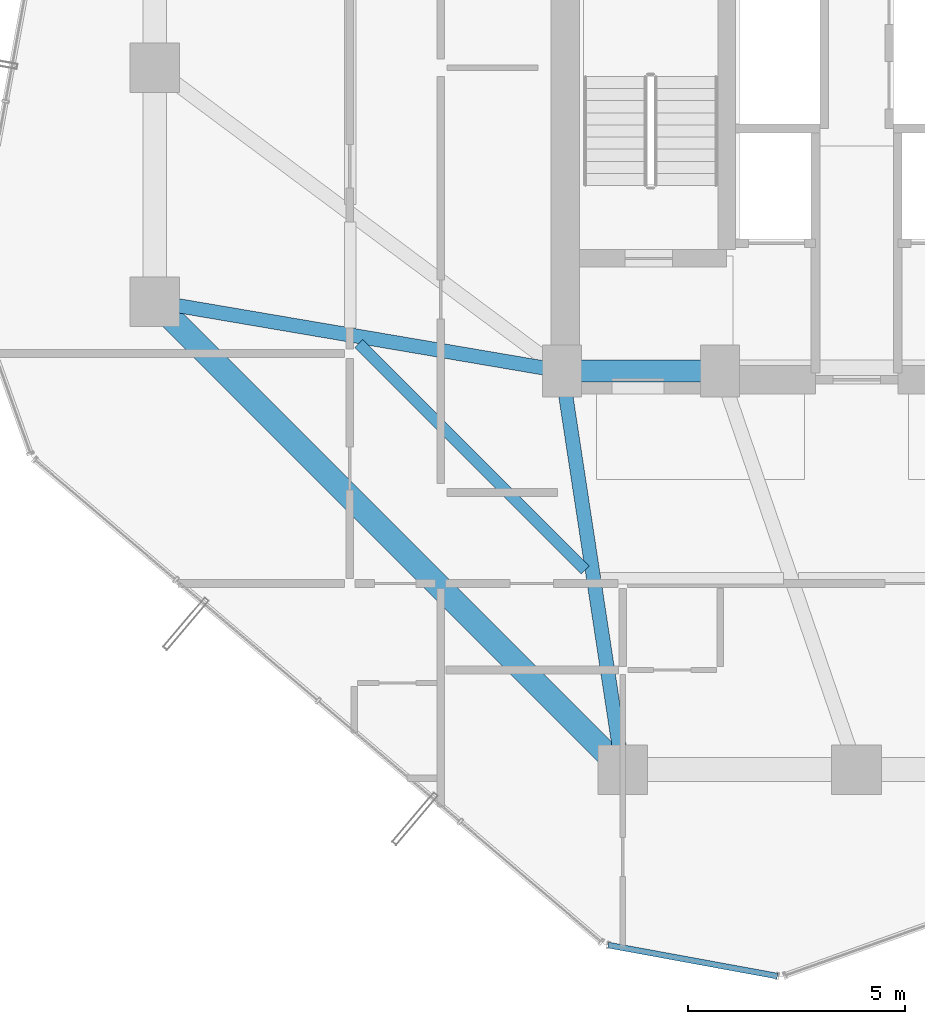
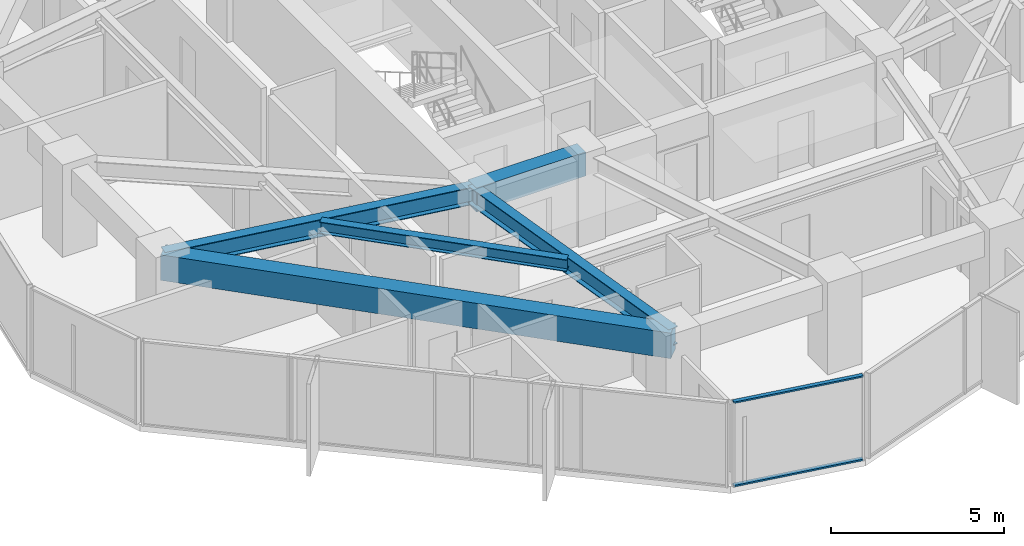
# One storey, part 6 of 33: 5 beams, 2 members, 1 element without a shape of its own.
"""IFC4 building model written with IfcOpenShell, lengths in metres."""

import ifcopenshell
import ifcopenshell.guid

model = None  # the IFC model being written
_history = None  # IfcOwnerHistory: only IFC2X3 demands one
_inside = {}  # id of a spatial element -> (the spatial element, [elements in it])
_under = {}  # id of a project, library or spatial element -> (it, [spatial elements below it])
_declared = {}  # id of a project -> (the project, [libraries it declares])
_typed = {}  # id of a type object -> (the type object, [elements of that type])
_made_of = {}  # id of a material, layer set ... -> (it, [elements and type objects made of it])


def new_model(schema):
    """Start an empty IFC model of exactly this schema.

    Asked for "IFC4X3", IfcOpenShell would pick the latest addendum, in which some entities
    have other attributes; the version numbers below select the first issue.
    IFC2X3 requires an IfcOwnerHistory on every rooted entity: one is made here for all.
    """
    global model, _history
    if schema == "IFC4X3":
        model = ifcopenshell.file(schema_version=(4, 3, 0, 0))
    else:
        model = ifcopenshell.file(schema=schema)
    _inside.clear()
    _under.clear()
    _declared.clear()
    _typed.clear()
    _made_of.clear()
    _history = None
    if model.schema == "IFC2X3":
        org = make("IfcOrganization", Name="unknown")
        user = make(
            "IfcPersonAndOrganization",
            ThePerson=make("IfcPerson", FamilyName="unknown"),
            TheOrganization=org,
        )
        app = make(
            "IfcApplication",
            ApplicationDeveloper=org,
            Version="unknown",
            ApplicationFullName="unknown",
            ApplicationIdentifier="unknown",
        )
        _history = make(
            "IfcOwnerHistory",
            OwningUser=user,
            OwningApplication=app,
            ChangeAction="ADDED",
            CreationDate=0,
        )
    return model


def make(cls, **values):
    """One entity of the class cls with the attributes given. An attribute that is None is left unset."""
    return model.create_entity(
        cls, **{name: value for name, value in values.items() if value is not None}
    )


def rooted(cls, **values):
    """An entity with a GlobalId (a new one), such as an element, a storey or a relation."""
    return make(cls, GlobalId=ifcopenshell.guid.new(), OwnerHistory=_history, **values)


def si_unit(unit_type, name, prefix=None):
    """IfcSIUnit, for example si_unit("LENGTHUNIT", "METRE", prefix="MILLI")."""
    return make("IfcSIUnit", UnitType=unit_type, Prefix=prefix, Name=name)


def assignment(units):
    """IfcUnitAssignment: the units of a project."""
    return None if units is None else make("IfcUnitAssignment", Units=units)


def point(xyz):
    """IfcCartesianPoint."""
    return None if xyz is None else make("IfcCartesianPoint", Coordinates=xyz)


def direction(xyz):
    """IfcDirection."""
    return None if xyz is None else make("IfcDirection", DirectionRatios=xyz)


def frame(location, z_axis=None, x_axis=None):
    """IfcAxis2Placement3D, a coordinate frame: its origin and axes. An axis left out is left unset."""
    return make(
        "IfcAxis2Placement3D",
        Location=point(location),
        Axis=direction(z_axis),
        RefDirection=direction(x_axis),
    )


def frame_2d(location, x_axis=None):
    """IfcAxis2Placement2D, a coordinate frame in the plane: its origin and x axis."""
    return make(
        "IfcAxis2Placement2D", Location=point(location), RefDirection=direction(x_axis)
    )


def origin():
    """The frame at (0, 0, 0) with its axes left unset."""
    return frame((0.0, 0.0, 0.0))


def origin_2d():
    """The frame at (0, 0) in the plane with its x axis left unset."""
    return frame_2d((0.0, 0.0))


def place(relative_to, where):
    """IfcLocalPlacement: puts the frame where relative to a parent placement (None: the world)."""
    return make(
        "IfcLocalPlacement", PlacementRelTo=relative_to, RelativePlacement=where
    )


def context(
    kind, dimensions, precision=None, world=None, true_north=None, identifier=None
):
    """IfcGeometricRepresentationContext, for example the 3D "Model" context."""
    return make(
        "IfcGeometricRepresentationContext",
        ContextIdentifier=identifier,
        ContextType=kind,
        CoordinateSpaceDimension=dimensions,
        Precision=precision,
        WorldCoordinateSystem=world,
        TrueNorth=true_north,
    )


def subcontext(parent, identifier, kind, view, scale=None):
    """IfcGeometricRepresentationSubContext, for example "Body" below "Model"."""
    return make(
        "IfcGeometricRepresentationSubContext",
        ContextIdentifier=identifier,
        ContextType=kind,
        ParentContext=parent,
        TargetScale=scale,
        TargetView=view,
    )


def project(units=None, contexts=None):
    """IfcProject with its units and contexts."""
    return rooted(
        "IfcProject",
        Name="project",
        RepresentationContexts=contexts,
        UnitsInContext=assignment(units),
    )


def spatial(cls, under=None, at=None, **own):
    """A site, building, storey or space (cls), placed at a placement, below another one or the project."""
    s = rooted(cls, ObjectPlacement=at, **own)
    if under is not None:
        _under.setdefault(under.id(), (under, []))[1].append(s)
    return s


def profile(cls, at=None, kind="AREA", **sizes):
    """A parametric profile (cls). Its sizes go by their IFC names, for example OverallWidth=200.0."""
    return make(cls, ProfileType=kind, Position=at, **sizes)


def rectangle(**sizes):
    """IfcRectangleProfileDef."""
    return profile("IfcRectangleProfileDef", **sizes)


def hollow_rectangle(**sizes):
    """IfcRectangleHollowProfileDef."""
    return profile("IfcRectangleHollowProfileDef", **sizes)


def i_section(**sizes):
    """IfcIShapeProfileDef."""
    return profile("IfcIShapeProfileDef", **sizes)


def extrude(swept, where, along, depth):
    """IfcExtrudedAreaSolid: the profile swept, set in the frame where, extruded along a direction by depth."""
    return make(
        "IfcExtrudedAreaSolid",
        SweptArea=swept,
        Position=where,
        ExtrudedDirection=direction(along),
        Depth=depth,
    )


def shape(context_of_items, identifier, shape_type, items):
    """IfcShapeRepresentation: the items that make up one representation, for example the "Body"."""
    return make(
        "IfcShapeRepresentation",
        ContextOfItems=context_of_items,
        RepresentationIdentifier=identifier,
        RepresentationType=shape_type,
        Items=items,
    )


def source(mapping_origin, context_of_items, identifier, shape_type, items):
    """IfcRepresentationMap: a shape defined once, which mapped items show again and again."""
    return make(
        "IfcRepresentationMap",
        MappingOrigin=mapping_origin,
        MappedRepresentation=shape(context_of_items, identifier, shape_type, items),
    )


def transform(
    local_origin,
    x_axis=None,
    y_axis=None,
    z_axis=None,
    scale=None,
    scale2=None,
    scale3=None,
    uniform=True,
):
    """IfcCartesianTransformationOperator3D, or its non-uniform kind. x_axis, y_axis, z_axis: its Axis1, 2, 3."""
    if uniform:
        return make(
            "IfcCartesianTransformationOperator3D",
            Axis1=direction(x_axis),
            Axis2=direction(y_axis),
            LocalOrigin=point(local_origin),
            Scale=scale,
            Axis3=direction(z_axis),
        )
    return make(
        "IfcCartesianTransformationOperator3DnonUniform",
        Axis1=direction(x_axis),
        Axis2=direction(y_axis),
        LocalOrigin=point(local_origin),
        Scale=scale,
        Axis3=direction(z_axis),
        Scale2=scale2,
        Scale3=scale3,
    )


def mapped(mapping_source, mapping_target):
    """IfcMappedItem: shows the shape of a source again, moved by a transform."""
    return make(
        "IfcMappedItem", MappingSource=mapping_source, MappingTarget=mapping_target
    )


def material(Name=None, Category=None):
    """IfcMaterial."""
    return make("IfcMaterial", Name=Name, Category=Category)


def layer(
    of_material, thickness, ventilated=None, Name=None, Category=None, Priority=None
):
    """IfcMaterialLayer: one layer of a wall or slab, of a material (None: an air gap)."""
    return make(
        "IfcMaterialLayer",
        Material=of_material,
        LayerThickness=thickness,
        IsVentilated=ventilated,
        Name=Name,
        Category=Category,
        Priority=Priority,
    )


def layer_set(layers, Name=None):
    """IfcMaterialLayerSet."""
    return make("IfcMaterialLayerSet", MaterialLayers=layers, LayerSetName=Name)


def material_profile(
    of_material, cross_section, Name=None, Category=None, Priority=None
):
    """IfcMaterialProfile: a cross section and its material."""
    return make(
        "IfcMaterialProfile",
        Name=Name,
        Material=of_material,
        Profile=cross_section,
        Priority=Priority,
        Category=Category,
    )


def profile_set(profiles, Name=None, composite=None):
    """IfcMaterialProfileSet."""
    return make(
        "IfcMaterialProfileSet",
        Name=Name,
        MaterialProfiles=profiles,
        CompositeProfile=composite,
    )


def made_of(thing, what):
    """Note that an element or type object is made of a material, layer set ...; save() writes the relation."""
    if what is not None:
        _made_of.setdefault(what.id(), (what, []))[1].append(thing)
    return thing


def type_object(cls, material=None, **own):
    """A type object (cls), such as IfcWallType, which elements share."""
    return made_of(rooted(cls, **own), material)


def element(
    cls,
    number,
    at=None,
    inside=None,
    cuts=None,
    type_object=None,
    material=None,
    context=None,
    identifier="Body",
    shape_type=None,
    held_by="IfcProductDefinitionShape",
    body=None,
    shapes=None,
    **own,
):
    """One element of the class cls, such as IfcWall. Its Tag is "e" and its number.

    at: its placement. inside: the storey or other place that contains it. cuts: it is an
    opening in that element (IfcRelVoidsElement). A single representation is given by context,
    identifier, shape_type and body (its items); several are given by shapes. held_by: the class
    of the entity that holds the representations. save() writes the other relations.
    """
    e = rooted(cls, Tag="e%d" % number, ObjectPlacement=at, **own)
    if body is not None:
        shapes = [shape(context, identifier, shape_type, body)]
    if shapes is not None:
        e.Representation = make(held_by, Representations=shapes)
    if inside is not None:
        _inside.setdefault(inside.id(), (inside, []))[1].append(e)
    if cuts is not None:
        rooted(
            "IfcRelVoidsElement", RelatingBuildingElement=cuts, RelatedOpeningElement=e
        )
    if type_object is not None:
        _typed.setdefault(type_object.id(), (type_object, []))[1].append(e)
    return made_of(e, material)


def aggregate(whole, parts):
    """IfcRelAggregates: a whole, such as a stair, and the parts it consists of."""
    return rooted("IfcRelAggregates", RelatingObject=whole, RelatedObjects=parts)


def save(model, path):
    """Write the relations noted so far, then the file.

    IfcRelAggregates (storeys below a building ...), IfcRelContainedInSpatialStructure (elements
    in a storey), IfcRelDefinesByType, IfcRelAssociatesMaterial and IfcRelDeclares: one each for
    every whole, place, type object, material and project.
    """
    for whole, parts in _under.values():
        aggregate(whole, parts)
    for where, things in _inside.values():
        rooted(
            "IfcRelContainedInSpatialStructure",
            RelatedElements=things,
            RelatingStructure=where,
        )
    for kind, things in _typed.values():
        rooted("IfcRelDefinesByType", RelatedObjects=things, RelatingType=kind)
    for what, things in _made_of.values():
        rooted("IfcRelAssociatesMaterial", RelatedObjects=things, RelatingMaterial=what)
    for by, libraries in _declared.values():
        rooted("IfcRelDeclares", RelatingContext=by, RelatedDefinitions=libraries)
    model.write(path)


model = new_model("IFC4")

# Units and contexts
model_context = context("Model", 3, precision=1e-05, world=origin(), true_north=direction((0.0, 1.0)))
body_context = subcontext(model_context, "Body", "Model", "MODEL_VIEW")
ifc_project = project(units=[si_unit("LENGTHUNIT", "METRE"), si_unit("AREAUNIT", "SQUARE_METRE"), si_unit("VOLUMEUNIT", "CUBIC_METRE"), si_unit("PLANEANGLEUNIT", "RADIAN"), si_unit("MASSUNIT", "GRAM", prefix="KILO")], contexts=[model_context])

# Site, building, storey
site_placement = place(None, origin())
site = spatial("IfcSite", under=ifc_project, at=site_placement, CompositionType="ELEMENT")
building_placement = place(site_placement, origin())
building = spatial("IfcBuilding", under=site, at=building_placement, Name="Veraguas Prism Commons", CompositionType="ELEMENT")
storey_placement = place(building_placement, frame((0.0, 0.0, 92.699951171875)))
storey = spatial("IfcBuildingStorey", under=building, at=storey_placement, Name="L25", CompositionType="ELEMENT", Elevation=92.699951171875)

# Beams
ifc_material_1 = material(Name="Concrete C50/60", Category="concrete")
ifc_material_profile_1 = material_profile(ifc_material_1, rectangle(XDim=0.5, YDim=0.85009765625, at=origin_2d()), Name="RC500X850")
ifc_profile_set_1 = profile_set([ifc_material_profile_1], Name="Concrete C50/60")
beam_type_1 = type_object("IfcBeamType", Name="Core Coupling Beam RC 500x850", PredefinedType="BEAM", material=ifc_profile_set_1)
beam_1_placement = place(storey_placement, frame((17.199951171875, 17.0, 2.574951171875), z_axis=(1.0, 0.0, 0.0), x_axis=(0.0, 1.0, 0.0)))
element("IfcBeam", 1, at=beam_1_placement, inside=storey, type_object=beam_type_1, Name="Core Coupling Beam L25-CRS1", PredefinedType="BEAM", context=body_context, shape_type="SweptSolid", body=[
    extrude(rectangle(XDim=0.5, YDim=0.85009765625, at=origin_2d()), origin(), (0.0, 0.0, 1.0), 3.650146484375),
])
ifc_material_2 = material(Name="Steel ASTM A992 Grade 50", Category="steel")
ifc_material_profile_2 = material_profile(ifc_material_2, i_section(OverallWidth=0.260986328125, OverallDepth=0.419921875, WebThickness=0.01171875, FlangeThickness=0.019287109375, at=origin_2d()), Name="W410X114")
ifc_profile_set_2 = profile_set([ifc_material_profile_2], Name="Steel ASTM A992 Grade 50")
beam_type_2 = type_object("IfcBeamType", Name="Lower Floor Joist W410x114", PredefinedType="JOIST", material=ifc_profile_set_2)
beam_2_placement = place(storey_placement, frame((12.510009765625, 17.634033203125, 2.7900390625), z_axis=(0.707090260193, -0.707123301794, 0.0), x_axis=(0.707123301794, 0.707090260193, 0.0)))
element("IfcBeam", 2, at=beam_2_placement, inside=storey, type_object=beam_type_2, Name="Composite Floor Joist L25-JS09", PredefinedType="JOIST", context=body_context, shape_type="SweptSolid", body=[
    extrude(i_section(OverallWidth=0.260986328125, OverallDepth=0.419921875, WebThickness=0.01171875, FlangeThickness=0.019287109375, at=origin_2d()), origin(), (0.0, 0.0, 1.0), 7.388916015625),
])
ifc_material_profile_3 = material_profile(ifc_material_1, rectangle(XDim=0.550048828125, YDim=0.89990234375, at=origin_2d()), Name="RC550X900")
ifc_profile_set_3 = profile_set([ifc_material_profile_3], Name="Concrete C50/60")
beam_type_3 = type_object("IfcBeamType", Name="Perimeter Spandrel Lower RC 550x900", PredefinedType="SPANDREL", material=ifc_profile_set_3)
beam_3_placement = place(storey_placement, frame((7.800048828125, 18.60009765625, 2.550048828125), z_axis=(0.707106781187, -0.707106781187, 0.0), x_axis=(0.707106781187, 0.707106781187, 0.0)))
element("IfcBeam", 3, at=beam_3_placement, inside=storey, type_object=beam_type_3, Name="Perimeter Spandrel Beam L25-SP09", PredefinedType="SPANDREL", context=body_context, shape_type="SweptSolid", body=[
    extrude(rectangle(XDim=0.550048828125, YDim=0.89990234375, at=origin_2d()), origin(), (0.0, 0.0, 1.0), 15.273681640625),
])
ifc_material_profile_4 = material_profile(ifc_material_2, i_section(OverallWidth=0.327880859375, OverallDepth=0.6220703125, WebThickness=0.015380859375, FlangeThickness=0.0244140625, at=origin_2d()), Name="W610X195")
ifc_profile_set_4 = profile_set([ifc_material_profile_4], Name="Steel ASTM A992 Grade 50")
beam_type_4 = type_object("IfcBeamType", Name="Zone 2 Radial Girder W610x195", PredefinedType="BEAM", material=ifc_profile_set_4)
beam_4_placement = place(storey_placement, frame((7.800048828125, 18.60009765625, 2.68896484375), z_axis=(0.985819187151, -0.1678109956, 0.0), x_axis=(0.1678109956, 0.985819187151, 0.0)))
element("IfcBeam", 4, at=beam_4_placement, inside=storey, type_object=beam_type_4, Name="Radial Floor Girder L25-RD09", PredefinedType="BEAM", context=body_context, shape_type="SweptSolid", body=[
    extrude(i_section(OverallWidth=0.327880859375, OverallDepth=0.6220703125, WebThickness=0.015380859375, FlangeThickness=0.0244140625, at=origin_2d()), origin(), (0.0, 0.0, 1.0), 9.53515625),
])
beam_5_placement = place(storey_placement, frame((18.60009765625, 7.800048828125, 2.68896484375), z_axis=(-0.150458162136, 0.98861637729, 0.0), x_axis=(-0.98861637729, -0.150458162136, 0.0)))
element("IfcBeam", 5, at=beam_5_placement, inside=storey, type_object=beam_type_4, Name="Radial Floor Girder L25-RD10", PredefinedType="BEAM", context=body_context, shape_type="SweptSolid", body=[
    extrude(i_section(OverallWidth=0.327880859375, OverallDepth=0.6220703125, WebThickness=0.015380859375, FlangeThickness=0.0244140625, at=origin_2d()), origin(), (0.0, 0.0, 1.0), 9.305908203125),
])

# Curtain wall, members
ifc_material_3 = material(Name="Anodised aluminium EN AW-6063 T6", Category="aluminium")
ifc_layer = layer(ifc_material_3, 0.169921875, Name="Unitised Flush Curtain Wall Zone 2", Category="aluminium")
ifc_layer_set = layer_set([ifc_layer], Name="Anodised aluminium EN AW-6063 T6")
curtain_wall_type = type_object("IfcCurtainWallType", Name="Unitised Flush Curtain Wall Zone 2", PredefinedType="NOTDEFINED", material=ifc_layer_set)
curtain_wall_placement = place(storey_placement, origin())
curtain_wall = element("IfcCurtainWall", 6, at=curtain_wall_placement, inside=storey, type_object=curtain_wall_type, Name="Chamfer Curtain Wall L25-C5", PredefinedType="NOTDEFINED")
ifc_material_profile_5 = material_profile(ifc_material_3, hollow_rectangle(XDim=0.054931640625, YDim=0.135009765625, WallThickness=0.0029296875, at=origin_2d()), Name="AL55X135X3")
ifc_profile_set_5 = profile_set([ifc_material_profile_5], Name="Anodised aluminium EN AW-6063 T6")
member_type = type_object("IfcMemberType", Name="Curtain Wall Transom Standard AL 55x135x3", PredefinedType="USERDEFINED", material=ifc_profile_set_5)
shared_shape = source(origin(), body_context, "Body", "SweptSolid", [
    extrude(hollow_rectangle(XDim=0.054931640625, YDim=0.135009765625, WallThickness=0.0029296875, at=origin_2d()), origin(), (0.0, 0.0, 1.0), 3.97314453125),
])
member_1_placement = place(storey_placement, frame((18.263916015625, 3.751708984375, 0.027587890625), z_axis=(0.983569662475, -0.180528997835, 0.0), x_axis=(0.0, 0.0, 1.0)))
member_1 = element("IfcMember", 7, at=member_1_placement, type_object=member_type, Name="CW-Z2 Transom 1", ObjectType="TRANSOM", PredefinedType="USERDEFINED", context=body_context, shape_type="MappedRepresentation", body=[
    mapped(shared_shape, transform((0.0, 0.0, 0.0), scale=1.0)),
])
member_2_placement = place(storey_placement, frame((18.263916015625, 3.751708984375, 2.97265625), z_axis=(0.983569662475, -0.180528997835, 0.0), x_axis=(0.0, 0.0, 1.0)))
member_2 = element("IfcMember", 8, at=member_2_placement, type_object=member_type, Name="CW-Z2 Transom 2", ObjectType="TRANSOM", PredefinedType="USERDEFINED", context=body_context, shape_type="MappedRepresentation", body=[
    mapped(shared_shape, transform((0.0, 0.0, 0.0), scale=1.0)),
])
aggregate(curtain_wall, [member_1, member_2])

save(model, "model.ifc")
